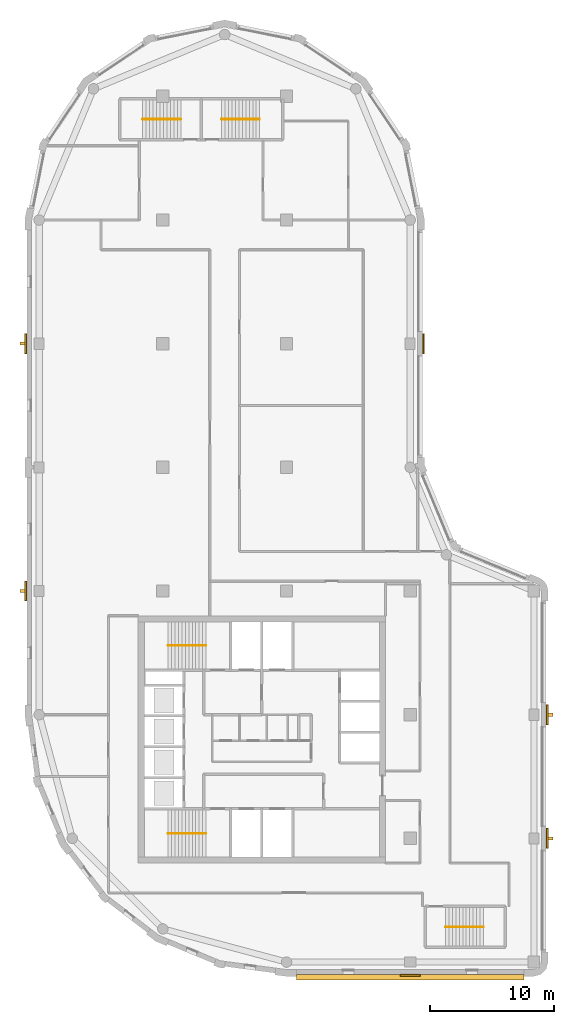
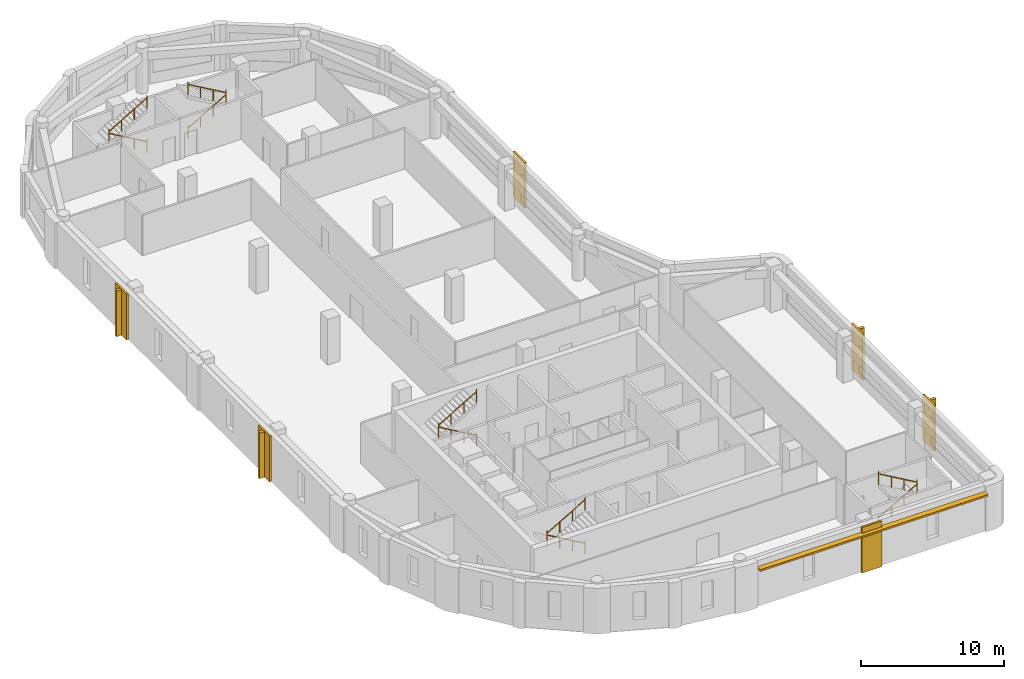
# One storey, part 7 of 8: 10 railings, 6 coverings, 5 shading devices.
"""IFC4 building model written with IfcOpenShell, lengths in metres."""

from ifc_helpers import new_model, si_unit, direction, frame, origin, origin_2d, place, context, subcontext, project, spatial, polyline, rectangle, circle, outline, extrude, material, layer, layer_set, type_object, element, save


model = new_model("IFC4")

# Units and contexts
model_context = context("Model", 3, precision=1e-05, world=origin(), true_north=direction((0.0, 1.0)))
body_context = subcontext(model_context, "Body", "Model", "MODEL_VIEW")
ifc_project = project(units=[si_unit("LENGTHUNIT", "METRE"), si_unit("AREAUNIT", "SQUARE_METRE"), si_unit("VOLUMEUNIT", "CUBIC_METRE"), si_unit("PLANEANGLEUNIT", "RADIAN"), si_unit("MASSUNIT", "GRAM", prefix="KILO")], contexts=[model_context])

# Site, building, storey
site_placement = place(None, origin())
site = spatial("IfcSite", under=ifc_project, at=site_placement, CompositionType="ELEMENT")
building_placement = place(site_placement, origin())
building = spatial("IfcBuilding", under=site, at=building_placement, Name="Qaws Garden Tower", CompositionType="ELEMENT")
storey_placement = place(building_placement, frame((0.0, 0.0, 348.89990234375)))
storey = spatial("IfcBuildingStorey", under=building, at=storey_placement, Name="L85", CompositionType="ELEMENT", Elevation=348.89990234375)

# Shading devices
ifc_material_1 = material(Name="Clay facing brick masonry", Category="masonry")
ifc_layer_1 = layer(ifc_material_1, 0.14990234375)
ifc_layer_set_1 = layer_set([ifc_layer_1], Name="Clay facing brick masonry")
shading_device_type_1 = type_object("IfcShadingDeviceType", Name="Brick sunshade band 450 x 150", PredefinedType="JALOUSIE", material=ifc_layer_set_1)
shading_device_placement = place(storey_placement, frame((0.0, 0.0, 3.25)))
element("IfcShadingDevice", 1, at=shading_device_placement, inside=storey, type_object=shading_device_type_1, Name="SUNSHADE 00", PredefinedType="JALOUSIE", context=body_context, shape_type="SweptSolid", body=[
    extrude(outline(polyline([(20.800048828125, -1.0), (20.800048828125, -1.449951171875), (39.199951171875, -1.449951171875), (39.199951171875, -1.0), (30.800048828125, -1.0), (30.800048828125, -1.14990234375), (29.199951171875, -1.14990234375), (29.199951171875, -1.0), (20.800048828125, -1.0)])), origin(), (0.0, 0.0, 1.0), 0.150146484375),
])
ifc_material_2 = material(Name="Clay facing brick masonry", Category="masonry")
ifc_layer_2 = layer(ifc_material_2, 0.25)
ifc_layer_set_2 = layer_set([ifc_layer_2], Name="Clay facing brick masonry")
shading_device_type_2 = type_object("IfcShadingDeviceType", Name="Brick-faced fin 250 x 400", PredefinedType="USERDEFINED", material=ifc_layer_set_2)
for number, where, z_axis, x_axis, name in (
    (2, (41.35009765625, 10.0, 0.000244140625), (0.0, 0.0, 1.0), (0.0, 1.0, 0.0), "FIN 03"),
    (3, (41.35009765625, 20.0, 0.000244140625), (0.0, 0.0, 1.0), (0.0, 1.0, 0.0), "FIN 04"),
    (4, (-1.35009765625, 50.0, 0.000244140625), (0.0, 0.0, 1.0), (0.0, -1.0, 0.0), "FIN 18"),
    (5, (-1.35009765625, 30.0, 0.000244140625), (0.0, 0.0, 1.0), (0.0, -1.0, 0.0), "FIN 20"),
):
    element("IfcShadingDevice", number, at=place(storey_placement, frame(where, z_axis=z_axis, x_axis=x_axis)), inside=storey, type_object=shading_device_type_2, Name=name, ObjectType="FIN", PredefinedType="USERDEFINED", context=body_context, shape_type="SweptSolid", body=[
        extrude(rectangle(XDim=0.25, YDim=0.39990234375, at=origin_2d()), origin(), (0.0, 0.0, 1.0), 3.89990234375),
    ])

# Coverings
ifc_material_3 = material(Name="Buff clay facing brick masonry", Category="masonry")
ifc_layer_3 = layer(ifc_material_3, 0.14990234375)
ifc_layer_set_3 = layer_set([ifc_layer_3], Name="Buff clay facing brick masonry")
covering_type = type_object("IfcCoveringType", Name="Buff brick pilaster facing 150 x 1600", PredefinedType="CLADDING", material=ifc_layer_set_3)
placement = place(storey_placement, origin())
element("IfcCovering", 6, at=placement, inside=storey, type_object=covering_type, Name="E-L85-pier-01", PredefinedType="CLADDING", context=body_context, shape_type="SweptSolid", body=[
    extrude(outline(polyline([(29.199951171875, -1.0), (30.800048828125, -1.0), (30.800048828125, -1.14990234375), (29.199951171875, -1.14990234375), (29.199951171875, -1.0)])), origin(), (0.0, 0.0, 1.0), 3.900146484375),
])
element("IfcCovering", 7, at=placement, inside=storey, type_object=covering_type, Name="E-L85-pier-03", PredefinedType="CLADDING", context=body_context, shape_type="SweptSolid", body=[
    extrude(outline(polyline([(41.0, 9.199951171875), (41.0, 10.800048828125), (41.14990234375, 10.800048828125), (41.14990234375, 9.199951171875), (41.0, 9.199951171875)])), origin(), (0.0, 0.0, 1.0), 3.900146484375),
])
element("IfcCovering", 8, at=placement, inside=storey, type_object=covering_type, Name="E-L85-pier-04", PredefinedType="CLADDING", context=body_context, shape_type="SweptSolid", body=[
    extrude(outline(polyline([(41.0, 19.199951171875), (41.0, 20.800048828125), (41.14990234375, 20.800048828125), (41.14990234375, 19.199951171875), (41.0, 19.199951171875)])), origin(), (0.0, 0.0, 1.0), 3.900146484375),
])
element("IfcCovering", 9, at=placement, inside=storey, type_object=covering_type, Name="E-L85-pier-08", PredefinedType="CLADDING", context=body_context, shape_type="SweptSolid", body=[
    extrude(outline(polyline([(31.0, 49.199951171875), (31.0, 50.800048828125), (31.14990234375, 50.800048828125), (31.14990234375, 49.199951171875), (31.0, 49.199951171875)])), origin(), (0.0, 0.0, 1.0), 3.900146484375),
])
element("IfcCovering", 10, at=placement, inside=storey, type_object=covering_type, Name="E-L85-pier-18", PredefinedType="CLADDING", context=body_context, shape_type="SweptSolid", body=[
    extrude(outline(polyline([(-1.0, 50.800048828125), (-1.0, 49.199951171875), (-1.14990234375, 49.199951171875), (-1.14990234375, 50.800048828125), (-1.0, 50.800048828125)])), origin(), (0.0, 0.0, 1.0), 3.900146484375),
])
element("IfcCovering", 11, at=placement, inside=storey, type_object=covering_type, Name="E-L85-pier-20", PredefinedType="CLADDING", context=body_context, shape_type="SweptSolid", body=[
    extrude(outline(polyline([(-1.0, 30.800048828125), (-1.0, 29.199951171875), (-1.14990234375, 29.199951171875), (-1.14990234375, 30.800048828125), (-1.0, 30.800048828125)])), origin(), (0.0, 0.0, 1.0), 3.900146484375),
])

# Railings
ifc_material_4 = material(Name="Steel S355", Category="steel")
railing_type = type_object("IfcRailingType", Name="Stair handrail 900", PredefinedType="HANDRAIL", material=ifc_material_4)
railing_1_placement = place(storey_placement, frame((13.5, 10.39990234375, 0.16259765625)))
element("IfcRailing", 12, at=railing_1_placement, inside=storey, type_object=railing_type, Name="Stair 1 handrail", PredefinedType="HANDRAIL", context=body_context, shape_type="SweptSolid", body=[
    extrude(circle(Radius=0.02392578125, at=origin_2d()), frame((0.0, 0.0, 0.8759765625), z_axis=(-0.864890721111, 0.0, 0.501960198159), x_axis=(0.0, -1.0, 0.0)), (0.0, 0.0, 1.0), 3.561279296875),
    extrude(circle(Radius=0.02099609375, at=origin_2d()), origin(), (0.0, 0.0, 1.0), 1.06201171875),
    extrude(circle(Radius=0.02099609375, at=origin_2d()), frame((-1.026611328125, 0.0, 0.595947265625)), (0.0, 0.0, 1.0), 0.851806640625),
    extrude(circle(Radius=0.02099609375, at=origin_2d()), frame((-2.053466796875, 0.0, 1.191650390625)), (0.0, 0.0, 1.0), 0.851806640625),
    extrude(circle(Radius=0.02099609375, at=origin_2d()), frame((-3.080078125, 0.0, 1.78759765625)), (0.0, 0.0, 1.0), 1.06201171875),
])
railing_2_placement = place(storey_placement, frame((10.419921875, 10.39990234375, 2.112548828125)))
element("IfcRailing", 13, at=railing_2_placement, inside=storey, type_object=railing_type, Name="Stair 1 handrail", PredefinedType="HANDRAIL", context=body_context, shape_type="SweptSolid", body=[
    extrude(circle(Radius=0.02392578125, at=origin_2d()), frame((0.0, 0.0, 0.8759765625), z_axis=(0.864890721111, 0.0, 0.501960198159), x_axis=(0.0, 1.0, 0.0)), (0.0, 0.0, 1.0), 3.561279296875),
    extrude(circle(Radius=0.02099609375, at=origin_2d()), origin(), (0.0, 0.0, 1.0), 1.06201171875),
    extrude(circle(Radius=0.02099609375, at=origin_2d()), frame((1.026611328125, 0.0, 0.595947265625)), (0.0, 0.0, 1.0), 0.851806640625),
    extrude(circle(Radius=0.02099609375, at=origin_2d()), frame((2.053466796875, 0.0, 1.191650390625)), (0.0, 0.0, 1.0), 0.851806640625),
    extrude(circle(Radius=0.02099609375, at=origin_2d()), frame((3.080078125, 0.0, 1.78759765625)), (0.0, 0.0, 1.0), 1.06201171875),
])
railing_3_placement = place(storey_placement, frame((13.5, 25.60009765625, 0.16259765625)))
element("IfcRailing", 14, at=railing_3_placement, inside=storey, type_object=railing_type, Name="Stair 4 handrail", PredefinedType="HANDRAIL", context=body_context, shape_type="SweptSolid", body=[
    extrude(circle(Radius=0.02392578125, at=origin_2d()), frame((0.0, 0.0, 0.8759765625), z_axis=(-0.864890721111, 0.0, 0.501960198159), x_axis=(0.0, -1.0, 0.0)), (0.0, 0.0, 1.0), 3.561279296875),
    extrude(circle(Radius=0.02099609375, at=origin_2d()), origin(), (0.0, 0.0, 1.0), 1.06201171875),
    extrude(circle(Radius=0.02099609375, at=origin_2d()), frame((-1.026611328125, 0.0, 0.595947265625)), (0.0, 0.0, 1.0), 0.851806640625),
    extrude(circle(Radius=0.02099609375, at=origin_2d()), frame((-2.053466796875, 0.0, 1.191650390625)), (0.0, 0.0, 1.0), 0.851806640625),
    extrude(circle(Radius=0.02099609375, at=origin_2d()), frame((-3.080078125, 0.0, 1.78759765625)), (0.0, 0.0, 1.0), 1.06201171875),
])
railing_4_placement = place(storey_placement, frame((10.419921875, 25.60009765625, 2.112548828125)))
element("IfcRailing", 15, at=railing_4_placement, inside=storey, type_object=railing_type, Name="Stair 4 handrail", PredefinedType="HANDRAIL", context=body_context, shape_type="SweptSolid", body=[
    extrude(circle(Radius=0.02392578125, at=origin_2d()), frame((0.0, 0.0, 0.8759765625), z_axis=(0.864890721111, 0.0, 0.501960198159), x_axis=(0.0, 1.0, 0.0)), (0.0, 0.0, 1.0), 3.561279296875),
    extrude(circle(Radius=0.02099609375, at=origin_2d()), origin(), (0.0, 0.0, 1.0), 1.06201171875),
    extrude(circle(Radius=0.02099609375, at=origin_2d()), frame((1.026611328125, 0.0, 0.595947265625)), (0.0, 0.0, 1.0), 0.851806640625),
    extrude(circle(Radius=0.02099609375, at=origin_2d()), frame((2.053466796875, 0.0, 1.191650390625)), (0.0, 0.0, 1.0), 0.851806640625),
    extrude(circle(Radius=0.02099609375, at=origin_2d()), frame((3.080078125, 0.0, 1.78759765625)), (0.0, 0.0, 1.0), 1.06201171875),
])
railing_5_placement = place(storey_placement, frame((32.85009765625, 2.85009765625, 0.16259765625)))
element("IfcRailing", 16, at=railing_5_placement, inside=storey, type_object=railing_type, Name="Stair 5 handrail", PredefinedType="HANDRAIL", context=body_context, shape_type="SweptSolid", body=[
    extrude(circle(Radius=0.02392578125, at=origin_2d()), frame((0.0, 0.0, 0.8759765625), z_axis=(0.864873446163, 0.0, 0.501989962173), x_axis=(0.0, 1.0, 0.0)), (0.0, 0.0, 1.0), 3.56103515625),
    extrude(circle(Radius=0.02099609375, at=origin_2d()), origin(), (0.0, 0.0, 1.0), 1.06201171875),
    extrude(circle(Radius=0.02099609375, at=origin_2d()), frame((1.026611328125, 0.0, 0.595947265625)), (0.0, 0.0, 1.0), 0.851806640625),
    extrude(circle(Radius=0.02099609375, at=origin_2d()), frame((2.05322265625, 0.0, 1.191650390625)), (0.0, 0.0, 1.0), 0.851806640625),
    extrude(circle(Radius=0.02099609375, at=origin_2d()), frame((3.079833984375, 0.0, 1.78759765625)), (0.0, 0.0, 1.0), 1.06201171875),
])
for number, where, name in (
    (17, (35.929931640625, 2.85009765625, 2.112548828125), "Stair 5 handrail"),
    (18, (11.449951171875, 68.14990234375, 0.16259765625), "Stair 6 handrail"),
):
    element("IfcRailing", number, at=place(storey_placement, frame(where)), inside=storey, type_object=railing_type, Name=name, PredefinedType="HANDRAIL", context=body_context, shape_type="SweptSolid", body=[
        extrude(circle(Radius=0.02392578125, at=origin_2d()), frame((0.0, 0.0, 0.8759765625), z_axis=(-0.864873446163, 0.0, 0.501989962173), x_axis=(0.0, -1.0, 0.0)), (0.0, 0.0, 1.0), 3.56103515625),
        extrude(circle(Radius=0.02099609375, at=origin_2d()), origin(), (0.0, 0.0, 1.0), 1.06201171875),
        extrude(circle(Radius=0.02099609375, at=origin_2d()), frame((-1.026611328125, 0.0, 0.595947265625)), (0.0, 0.0, 1.0), 0.851806640625),
        extrude(circle(Radius=0.02099609375, at=origin_2d()), frame((-2.05322265625, 0.0, 1.191650390625)), (0.0, 0.0, 1.0), 0.851806640625),
        extrude(circle(Radius=0.02099609375, at=origin_2d()), frame((-3.079833984375, 0.0, 1.78759765625)), (0.0, 0.0, 1.0), 1.06201171875),
    ])
railing_6_placement = place(storey_placement, frame((8.3701171875, 68.14990234375, 2.112548828125)))
element("IfcRailing", 19, at=railing_6_placement, inside=storey, type_object=railing_type, Name="Stair 6 handrail", PredefinedType="HANDRAIL", context=body_context, shape_type="SweptSolid", body=[
    extrude(circle(Radius=0.02392578125, at=origin_2d()), frame((0.0, 0.0, 0.8759765625), z_axis=(0.864873446163, 0.0, 0.501989962173), x_axis=(0.0, 1.0, 0.0)), (0.0, 0.0, 1.0), 3.56103515625),
    extrude(circle(Radius=0.02099609375, at=origin_2d()), origin(), (0.0, 0.0, 1.0), 1.06201171875),
    extrude(circle(Radius=0.02099609375, at=origin_2d()), frame((1.026611328125, 0.0, 0.595947265625)), (0.0, 0.0, 1.0), 0.851806640625),
    extrude(circle(Radius=0.02099609375, at=origin_2d()), frame((2.05322265625, 0.0, 1.191650390625)), (0.0, 0.0, 1.0), 0.851806640625),
    extrude(circle(Radius=0.02099609375, at=origin_2d()), frame((3.079833984375, 0.0, 1.78759765625)), (0.0, 0.0, 1.0), 1.06201171875),
])
railing_7_placement = place(storey_placement, frame((14.75, 68.14990234375, 0.16259765625)))
element("IfcRailing", 20, at=railing_7_placement, inside=storey, type_object=railing_type, Name="Stair 7 handrail", PredefinedType="HANDRAIL", context=body_context, shape_type="SweptSolid", body=[
    extrude(circle(Radius=0.02392578125, at=origin_2d()), frame((0.0, 0.0, 0.8759765625), z_axis=(0.864890721111, 0.0, 0.501960198159), x_axis=(0.0, 1.0, 0.0)), (0.0, 0.0, 1.0), 3.561279296875),
    extrude(circle(Radius=0.02099609375, at=origin_2d()), origin(), (0.0, 0.0, 1.0), 1.06201171875),
    extrude(circle(Radius=0.02099609375, at=origin_2d()), frame((1.026611328125, 0.0, 0.595947265625)), (0.0, 0.0, 1.0), 0.851806640625),
    extrude(circle(Radius=0.02099609375, at=origin_2d()), frame((2.053466796875, 0.0, 1.191650390625)), (0.0, 0.0, 1.0), 0.851806640625),
    extrude(circle(Radius=0.02099609375, at=origin_2d()), frame((3.080078125, 0.0, 1.78759765625)), (0.0, 0.0, 1.0), 1.06201171875),
])
railing_8_placement = place(storey_placement, frame((17.830078125, 68.14990234375, 2.112548828125)))
element("IfcRailing", 21, at=railing_8_placement, inside=storey, type_object=railing_type, Name="Stair 7 handrail", PredefinedType="HANDRAIL", context=body_context, shape_type="SweptSolid", body=[
    extrude(circle(Radius=0.02392578125, at=origin_2d()), frame((0.0, 0.0, 0.8759765625), z_axis=(-0.864890721111, 0.0, 0.501960198159), x_axis=(0.0, -1.0, 0.0)), (0.0, 0.0, 1.0), 3.561279296875),
    extrude(circle(Radius=0.02099609375, at=origin_2d()), origin(), (0.0, 0.0, 1.0), 1.06201171875),
    extrude(circle(Radius=0.02099609375, at=origin_2d()), frame((-1.026611328125, 0.0, 0.595947265625)), (0.0, 0.0, 1.0), 0.851806640625),
    extrude(circle(Radius=0.02099609375, at=origin_2d()), frame((-2.053466796875, 0.0, 1.191650390625)), (0.0, 0.0, 1.0), 0.851806640625),
    extrude(circle(Radius=0.02099609375, at=origin_2d()), frame((-3.080078125, 0.0, 1.78759765625)), (0.0, 0.0, 1.0), 1.06201171875),
])

save(model, "model.ifc")
